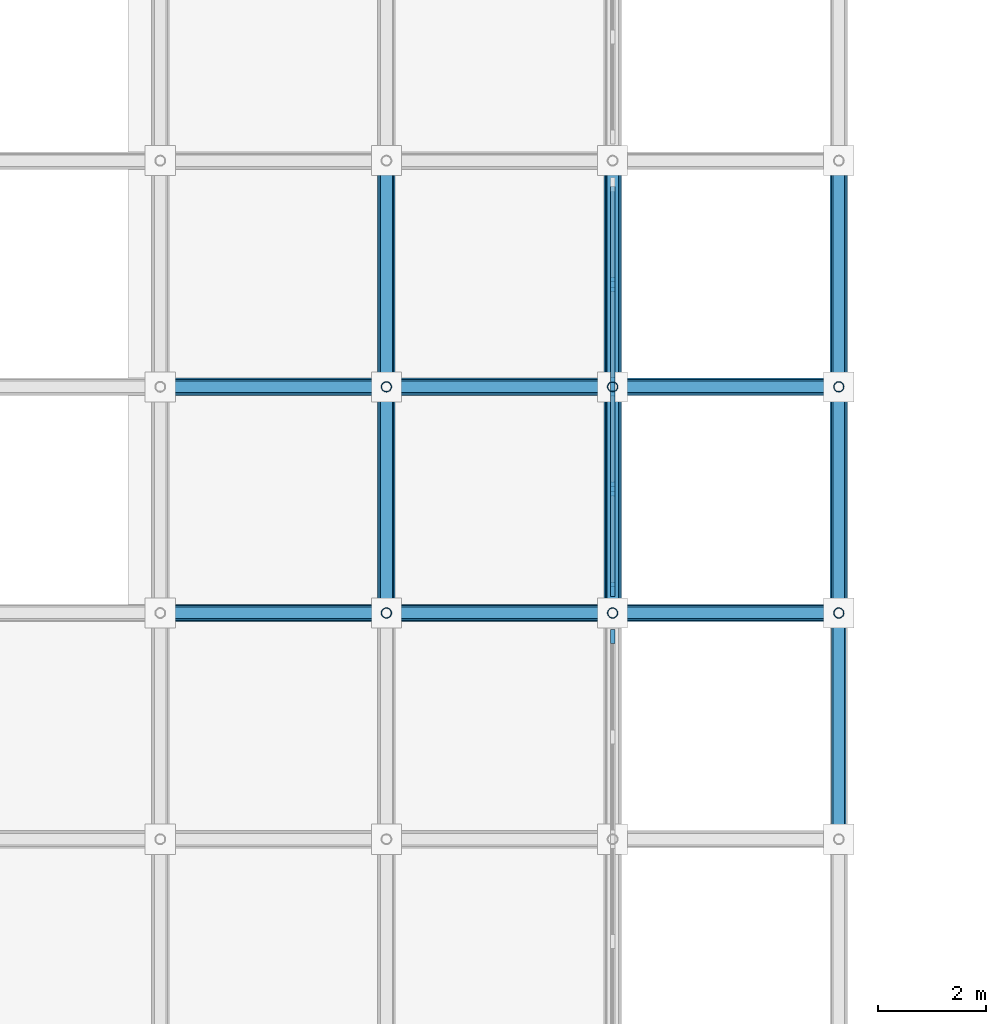
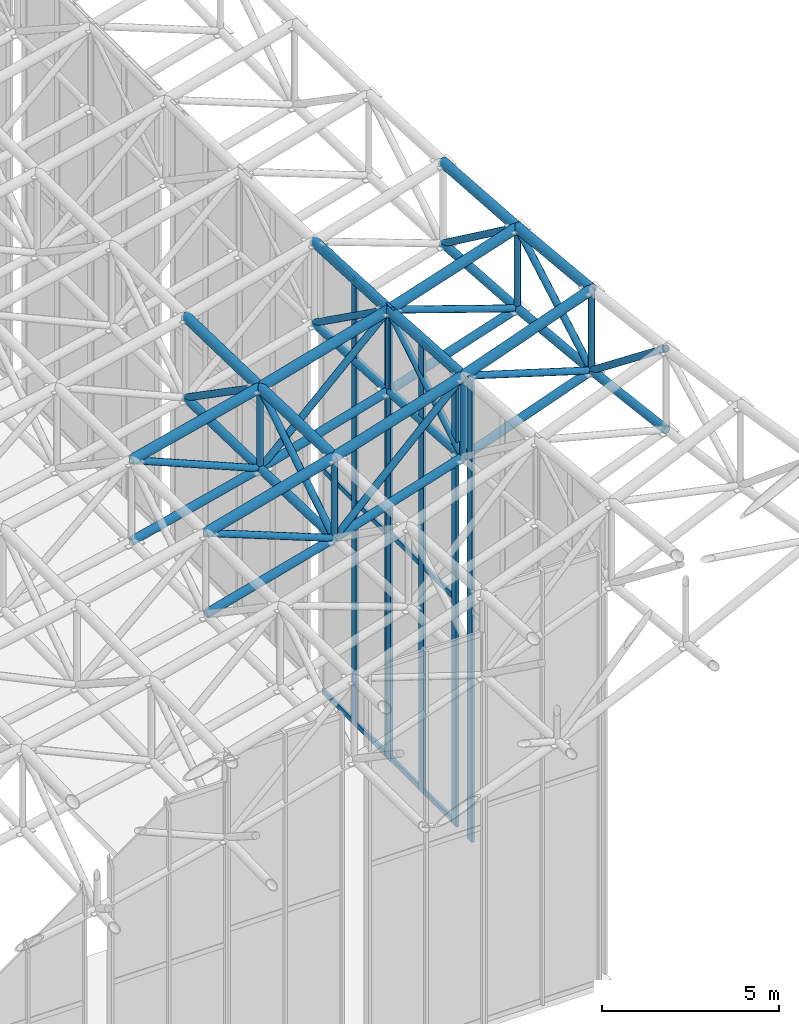
# One storey, part 40 of 93: 62 members, 3 elements without a shape of their own.
"""IFC4 building model written with IfcOpenShell, lengths in metres."""

from ifc_helpers import new_model, si_unit, direction, frame, origin, origin_2d, place, context, subcontext, project, spatial, rectangle, hollow_circle, extrude, material, material_profile, profile_set, type_object, element, aggregate, save


model = new_model("IFC4")

# Units and contexts
model_context = context("Model", 3, precision=1e-05, world=origin(), true_north=direction((0.0, 1.0)))
body_context = subcontext(model_context, "Body", "Model", "MODEL_VIEW")
ifc_project = project(units=[si_unit("LENGTHUNIT", "METRE"), si_unit("AREAUNIT", "SQUARE_METRE"), si_unit("VOLUMEUNIT", "CUBIC_METRE"), si_unit("PLANEANGLEUNIT", "RADIAN"), si_unit("MASSUNIT", "GRAM", prefix="KILO")], contexts=[model_context])

# Site, building, storey
site_placement = place(None, origin())
site = spatial("IfcSite", under=ifc_project, at=site_placement, CompositionType="ELEMENT")
building_placement = place(site_placement, origin())
building = spatial("IfcBuilding", under=site, at=building_placement, Name="Cumbredor Promenade Congress Hotel", CompositionType="ELEMENT")
storey_placement = place(building_placement, frame((0.0, 0.0, 21.840087890625)))
storey = spatial("IfcBuildingStorey", under=building, at=storey_placement, Name="L06", CompositionType="ELEMENT", Elevation=21.840087890625)

# Curtain wall, member
ifc_material_1 = material(Name="Thermally broken anodized aluminium and low-E glass", Category="aluminium")
curtain_wall_type = type_object("IfcCurtainWallType", Name="Stepped Pavilion Clerestory Curtain Wall CW-06", PredefinedType="NOTDEFINED", material=ifc_material_1)
curtain_wall_1_placement = place(storey_placement, origin())
curtain_wall_1 = element("IfcCurtainWall", 1, at=curtain_wall_1_placement, inside=storey, type_object=curtain_wall_type, Name="Plenary Congress Hall E Glazed Clerestory 2", PredefinedType="NOTDEFINED")
ifc_material_2 = material(Name="Thermally broken anodized aluminium", Category="aluminium")
ifc_material_profile_1 = material_profile(ifc_material_2, rectangle(XDim=0.0849609375, YDim=0.260009765625, at=origin_2d()), Name="ALU MULLION CLERESTORY 85x260")
ifc_profile_set_1 = profile_set([ifc_material_profile_1], Name="Thermally broken anodized aluminium")
member_type_1 = type_object("IfcMemberType", Name="Curtain Wall Mullion ML-04", PredefinedType="MULLION", material=ifc_profile_set_1)
member_1_placement = place(storey_placement, frame((67.199951171875, 16.360107421875, -0.01806640625), z_axis=(0.0, 0.0, 1.0), x_axis=(1.0, 0.0, 0.0)))
member_1 = element("IfcMember", 2, at=member_1_placement, type_object=member_type_1, Name="Plenary Congress Hall E Glazed Clerestory 2 Mullion 3", PredefinedType="MULLION", context=body_context, shape_type="SweptSolid", body=[
    extrude(rectangle(XDim=0.0849609375, YDim=0.260009765625, at=origin_2d()), origin(), (0.0, 0.0, 1.0), 15.94970703125),
])
aggregate(curtain_wall_1, [member_1])

# Curtain wall, members
curtain_wall_2_placement = place(storey_placement, origin())
curtain_wall_2 = element("IfcCurtainWall", 3, at=curtain_wall_2_placement, inside=storey, type_object=curtain_wall_type, Name="Plenary Congress Hall E Glazed Clerestory 3", PredefinedType="NOTDEFINED")
member_2_placement = place(storey_placement, frame((67.199951171875, 17.239990234375, -0.01806640625), z_axis=(0.0, 0.0, 1.0), x_axis=(1.0, 0.0, 0.0)))
member_2 = element("IfcMember", 4, at=member_2_placement, type_object=member_type_1, Name="Plenary Congress Hall E Glazed Clerestory 3 Mullion 1", PredefinedType="MULLION", context=body_context, shape_type="SweptSolid", body=[
    extrude(rectangle(XDim=0.0849609375, YDim=0.260009765625, at=origin_2d()), origin(), (0.0, 0.0, 1.0), 15.685791015625),
])
member_3_placement = place(storey_placement, frame((67.199951171875, 19.10009765625, -0.01806640625), z_axis=(0.0, 0.0, 1.0), x_axis=(1.0, 0.0, 0.0)))
member_3 = element("IfcMember", 5, at=member_3_placement, type_object=member_type_1, Name="Plenary Congress Hall E Glazed Clerestory 3 Mullion 2", PredefinedType="MULLION", context=body_context, shape_type="SweptSolid", body=[
    extrude(rectangle(XDim=0.0849609375, YDim=0.260009765625, at=origin_2d()), origin(), (0.0, 0.0, 1.0), 15.685791015625),
])
member_4_placement = place(storey_placement, frame((67.199951171875, 20.9599609375, -0.01806640625), z_axis=(0.0, 0.0, 1.0), x_axis=(1.0, 0.0, 0.0)))
member_4 = element("IfcMember", 6, at=member_4_placement, type_object=member_type_1, Name="Plenary Congress Hall E Glazed Clerestory 3 Mullion 3", PredefinedType="MULLION", context=body_context, shape_type="SweptSolid", body=[
    extrude(rectangle(XDim=0.0849609375, YDim=0.260009765625, at=origin_2d()), origin(), (0.0, 0.0, 1.0), 15.685791015625),
])

curtain_wall_3_placement = place(storey_placement, origin())
curtain_wall_3 = element("IfcCurtainWall", 7, at=curtain_wall_3_placement, inside=storey, type_object=curtain_wall_type, Name="Plenary Congress Hall E Glazed Clerestory 4", PredefinedType="NOTDEFINED")
member_5_placement = place(storey_placement, frame((67.199951171875, 21.0400390625, -0.01806640625), z_axis=(0.0, 0.0, 1.0), x_axis=(1.0, 0.0, 0.0)))
member_5 = element("IfcMember", 8, at=member_5_placement, type_object=member_type_1, Name="Plenary Congress Hall E Glazed Clerestory 4 Mullion 1", PredefinedType="MULLION", context=body_context, shape_type="SweptSolid", body=[
    extrude(rectangle(XDim=0.0849609375, YDim=0.260009765625, at=origin_2d()), origin(), (0.0, 0.0, 1.0), 15.48779296875),
])
member_6_placement = place(storey_placement, frame((67.199951171875, 22.89990234375, -0.01806640625), z_axis=(0.0, 0.0, 1.0), x_axis=(1.0, 0.0, 0.0)))
member_6 = element("IfcMember", 9, at=member_6_placement, type_object=member_type_1, Name="Plenary Congress Hall E Glazed Clerestory 4 Mullion 2", PredefinedType="MULLION", context=body_context, shape_type="SweptSolid", body=[
    extrude(rectangle(XDim=0.0849609375, YDim=0.260009765625, at=origin_2d()), origin(), (0.0, 0.0, 1.0), 15.48779296875),
])

# Member
ifc_material_profile_2 = material_profile(ifc_material_2, rectangle(XDim=0.080078125, YDim=0.179931640625, at=origin_2d()), Name="ALU TRANSOM 80x180")
ifc_profile_set_2 = profile_set([ifc_material_profile_2], Name="Thermally broken anodized aluminium")
member_type_2 = type_object("IfcMemberType", Name="Curtain Wall Transom TR-03", PredefinedType="USERDEFINED", material=ifc_profile_set_2)
member_7_placement = place(storey_placement, frame((67.199951171875, 17.282470703125, 0.079833984375), z_axis=(0.0, 1.0, 0.0), x_axis=(-1.0, 0.0, 0.0)))
member_7 = element("IfcMember", 10, at=member_7_placement, type_object=member_type_2, Name="Plenary Congress Hall E Glazed Clerestory 3 Transom 1.1", ObjectType="TRANSOM", PredefinedType="USERDEFINED", context=body_context, shape_type="SweptSolid", body=[
    extrude(rectangle(XDim=0.080078125, YDim=0.179931640625, at=origin_2d()), origin(), (0.0, 0.0, 1.0), 1.775146484375),
])

member_8_placement = place(storey_placement, frame((67.199951171875, 17.282470703125, 7.81982421875), z_axis=(0.0, 1.0, 0.0), x_axis=(-1.0, 0.0, 0.0)))
member_8 = element("IfcMember", 11, at=member_8_placement, type_object=member_type_2, Name="Plenary Congress Hall E Glazed Clerestory 3 Transom 1.2", ObjectType="TRANSOM", PredefinedType="USERDEFINED", context=body_context, shape_type="SweptSolid", body=[
    extrude(rectangle(XDim=0.080078125, YDim=0.179931640625, at=origin_2d()), origin(), (0.0, 0.0, 1.0), 1.775146484375),
])

member_9_placement = place(storey_placement, frame((67.199951171875, 17.282470703125, 15.56982421875), z_axis=(0.0, 1.0, 0.0), x_axis=(-1.0, 0.0, 0.0)))
member_9 = element("IfcMember", 12, at=member_9_placement, type_object=member_type_2, Name="Plenary Congress Hall E Glazed Clerestory 3 Transom 1.3", ObjectType="TRANSOM", PredefinedType="USERDEFINED", context=body_context, shape_type="SweptSolid", body=[
    extrude(rectangle(XDim=0.080078125, YDim=0.179931640625, at=origin_2d()), origin(), (0.0, 0.0, 1.0), 1.775146484375),
])

member_10_placement = place(storey_placement, frame((67.199951171875, 19.142578125, 0.079833984375), z_axis=(0.0, 1.0, 0.0), x_axis=(-1.0, 0.0, 0.0)))
member_10 = element("IfcMember", 13, at=member_10_placement, type_object=member_type_2, Name="Plenary Congress Hall E Glazed Clerestory 3 Transom 2.1", ObjectType="TRANSOM", PredefinedType="USERDEFINED", context=body_context, shape_type="SweptSolid", body=[
    extrude(rectangle(XDim=0.080078125, YDim=0.179931640625, at=origin_2d()), origin(), (0.0, 0.0, 1.0), 1.77490234375),
])

member_11_placement = place(storey_placement, frame((67.199951171875, 19.142578125, 7.81982421875), z_axis=(0.0, 1.0, 0.0), x_axis=(-1.0, 0.0, 0.0)))
member_11 = element("IfcMember", 14, at=member_11_placement, type_object=member_type_2, Name="Plenary Congress Hall E Glazed Clerestory 3 Transom 2.2", ObjectType="TRANSOM", PredefinedType="USERDEFINED", context=body_context, shape_type="SweptSolid", body=[
    extrude(rectangle(XDim=0.080078125, YDim=0.179931640625, at=origin_2d()), origin(), (0.0, 0.0, 1.0), 1.77490234375),
])

member_12_placement = place(storey_placement, frame((67.199951171875, 19.142578125, 15.56982421875), z_axis=(0.0, 1.0, 0.0), x_axis=(-1.0, 0.0, 0.0)))
member_12 = element("IfcMember", 15, at=member_12_placement, type_object=member_type_2, Name="Plenary Congress Hall E Glazed Clerestory 3 Transom 2.3", ObjectType="TRANSOM", PredefinedType="USERDEFINED", context=body_context, shape_type="SweptSolid", body=[
    extrude(rectangle(XDim=0.080078125, YDim=0.179931640625, at=origin_2d()), origin(), (0.0, 0.0, 1.0), 1.77490234375),
])

aggregate(curtain_wall_2, [member_2, member_3, member_4, member_7, member_8, member_9, member_10, member_11, member_12])

member_13_placement = place(storey_placement, frame((67.199951171875, 21.08251953125, 0.079833984375), z_axis=(0.0, 1.0, 0.0), x_axis=(-1.0, 0.0, 0.0)))
member_13 = element("IfcMember", 16, at=member_13_placement, type_object=member_type_2, Name="Plenary Congress Hall E Glazed Clerestory 4 Transom 1.1", ObjectType="TRANSOM", PredefinedType="USERDEFINED", context=body_context, shape_type="SweptSolid", body=[
    extrude(rectangle(XDim=0.080078125, YDim=0.179931640625, at=origin_2d()), origin(), (0.0, 0.0, 1.0), 1.77490234375),
])

member_14_placement = place(storey_placement, frame((67.199951171875, 21.08251953125, 7.72998046875), z_axis=(0.0, 1.0, 0.0), x_axis=(-1.0, 0.0, 0.0)))
member_14 = element("IfcMember", 17, at=member_14_placement, type_object=member_type_2, Name="Plenary Congress Hall E Glazed Clerestory 4 Transom 1.2", ObjectType="TRANSOM", PredefinedType="USERDEFINED", context=body_context, shape_type="SweptSolid", body=[
    extrude(rectangle(XDim=0.080078125, YDim=0.179931640625, at=origin_2d()), origin(), (0.0, 0.0, 1.0), 1.77490234375),
])

member_15_placement = place(storey_placement, frame((67.199951171875, 21.08251953125, 15.369873046875), z_axis=(0.0, 1.0, 0.0), x_axis=(-1.0, 0.0, 0.0)))
member_15 = element("IfcMember", 18, at=member_15_placement, type_object=member_type_2, Name="Plenary Congress Hall E Glazed Clerestory 4 Transom 1.3", ObjectType="TRANSOM", PredefinedType="USERDEFINED", context=body_context, shape_type="SweptSolid", body=[
    extrude(rectangle(XDim=0.080078125, YDim=0.179931640625, at=origin_2d()), origin(), (0.0, 0.0, 1.0), 1.77490234375),
])

member_16_placement = place(storey_placement, frame((67.199951171875, 22.9423828125, 0.079833984375), z_axis=(0.0, 1.0, 0.0), x_axis=(-1.0, 0.0, 0.0)))
member_16 = element("IfcMember", 19, at=member_16_placement, type_object=member_type_2, Name="Plenary Congress Hall E Glazed Clerestory 4 Transom 2.1", ObjectType="TRANSOM", PredefinedType="USERDEFINED", context=body_context, shape_type="SweptSolid", body=[
    extrude(rectangle(XDim=0.080078125, YDim=0.179931640625, at=origin_2d()), origin(), (0.0, 0.0, 1.0), 1.775146484375),
])

member_17_placement = place(storey_placement, frame((67.199951171875, 22.9423828125, 7.72998046875), z_axis=(0.0, 1.0, 0.0), x_axis=(-1.0, 0.0, 0.0)))
member_17 = element("IfcMember", 20, at=member_17_placement, type_object=member_type_2, Name="Plenary Congress Hall E Glazed Clerestory 4 Transom 2.2", ObjectType="TRANSOM", PredefinedType="USERDEFINED", context=body_context, shape_type="SweptSolid", body=[
    extrude(rectangle(XDim=0.080078125, YDim=0.179931640625, at=origin_2d()), origin(), (0.0, 0.0, 1.0), 1.775146484375),
])

member_18_placement = place(storey_placement, frame((67.199951171875, 22.9423828125, 15.369873046875), z_axis=(0.0, 1.0, 0.0), x_axis=(-1.0, 0.0, 0.0)))
member_18 = element("IfcMember", 21, at=member_18_placement, type_object=member_type_2, Name="Plenary Congress Hall E Glazed Clerestory 4 Transom 2.3", ObjectType="TRANSOM", PredefinedType="USERDEFINED", context=body_context, shape_type="SweptSolid", body=[
    extrude(rectangle(XDim=0.080078125, YDim=0.179931640625, at=origin_2d()), origin(), (0.0, 0.0, 1.0), 1.775146484375),
])

aggregate(curtain_wall_3, [member_5, member_6, member_13, member_14, member_15, member_16, member_17, member_18])

# Members
ifc_material_3 = material(Name="Steel ASTM A500 Grade C", Category="steel")
ifc_material_profile_3 = material_profile(ifc_material_3, hollow_circle(Radius=0.136474609375, WallThickness=0.01611328125, at=origin_2d()), Name="CHS 273.0x16")
ifc_profile_set_3 = profile_set([ifc_material_profile_3], Name="Steel ASTM A500 Grade C")
member_type_3 = type_object("IfcMemberType", Name="Plenary Roof Space Frame Bottom Chord", PredefinedType="CHORD", material=ifc_profile_set_3)
member_19_placement = place(storey_placement, frame((58.800048828125, 16.800048828125, 10.4599609375), z_axis=(0.964303137338, 0.0, 0.264800791768), x_axis=(0.0, 1.0, 0.0)))
element("IfcMember", 22, at=member_19_placement, inside=storey, type_object=member_type_3, Name="Plenary Congress Hall X Bottom Chord 16.5", PredefinedType="CHORD", context=body_context, shape_type="SweptSolid", body=[
    extrude(hollow_circle(Radius=0.136474609375, WallThickness=0.01611328125, at=origin_2d()), origin(), (0.0, 0.0, 1.0), 4.35546875),
])
member_20_placement = place(storey_placement, frame((63.0, 16.800048828125, 11.61328125), z_axis=(0.953320159964, 0.0, 0.301961376018), x_axis=(0.0, 1.0, 0.0)))
element("IfcMember", 23, at=member_20_placement, inside=storey, type_object=member_type_3, Name="Plenary Congress Hall X Bottom Chord 17.5", PredefinedType="CHORD", context=body_context, shape_type="SweptSolid", body=[
    extrude(hollow_circle(Radius=0.136474609375, WallThickness=0.01611328125, at=origin_2d()), origin(), (0.0, 0.0, 1.0), 4.405517578125),
])
member_21_placement = place(storey_placement, frame((67.199951171875, 16.800048828125, 12.943603515625), z_axis=(0.94060968374, 0.0, 0.339489945146), x_axis=(0.0, 1.0, 0.0)))
element("IfcMember", 24, at=member_21_placement, inside=storey, type_object=member_type_3, Name="Plenary Congress Hall X Bottom Chord 18.5", PredefinedType="CHORD", context=body_context, shape_type="SweptSolid", body=[
    extrude(hollow_circle(Radius=0.136474609375, WallThickness=0.01611328125, at=origin_2d()), origin(), (0.0, 0.0, 1.0), 4.465087890625),
])
member_22_placement = place(storey_placement, frame((58.800048828125, 21.0, 10.427978515625), z_axis=(0.970390849303, 0.0, 0.241540057938), x_axis=(0.0, 1.0, 0.0)))
element("IfcMember", 25, at=member_22_placement, inside=storey, type_object=member_type_3, Name="Plenary Congress Hall X Bottom Chord 16.6", PredefinedType="CHORD", context=body_context, shape_type="SweptSolid", body=[
    extrude(hollow_circle(Radius=0.136474609375, WallThickness=0.01611328125, at=origin_2d()), origin(), (0.0, 0.0, 1.0), 4.328125),
])
member_23_placement = place(storey_placement, frame((63.0, 21.0, 11.473388671875), z_axis=(0.961141413471, 0.0, 0.276056485727), x_axis=(0.0, 1.0, 0.0)))
element("IfcMember", 26, at=member_23_placement, inside=storey, type_object=member_type_3, Name="Plenary Congress Hall X Bottom Chord 17.6", PredefinedType="CHORD", context=body_context, shape_type="SweptSolid", body=[
    extrude(hollow_circle(Radius=0.136474609375, WallThickness=0.01611328125, at=origin_2d()), origin(), (0.0, 0.0, 1.0), 4.369873046875),
])
member_24_placement = place(storey_placement, frame((67.199951171875, 21.0, 12.6796875), z_axis=(0.95046362493, 0.0, 0.310835805025), x_axis=(0.0, 1.0, 0.0)))
element("IfcMember", 27, at=member_24_placement, inside=storey, type_object=member_type_3, Name="Plenary Congress Hall X Bottom Chord 18.6", PredefinedType="CHORD", context=body_context, shape_type="SweptSolid", body=[
    extrude(hollow_circle(Radius=0.136474609375, WallThickness=0.01611328125, at=origin_2d()), origin(), (0.0, 0.0, 1.0), 4.4189453125),
])
member_25_placement = place(storey_placement, frame((63.0, 16.800048828125, 11.61328125), z_axis=(0.0, 0.999445744913, -0.03328968272), x_axis=(-1.0, 0.0, 0.0)))
element("IfcMember", 28, at=member_25_placement, inside=storey, type_object=member_type_3, Name="Plenary Congress Hall Y Bottom Chord 17.5", PredefinedType="CHORD", context=body_context, shape_type="SweptSolid", body=[
    extrude(hollow_circle(Radius=0.136474609375, WallThickness=0.01611328125, at=origin_2d()), origin(), (0.0, 0.0, 1.0), 4.202392578125),
])
member_26_placement = place(storey_placement, frame((63.0, 21.0, 11.473388671875), z_axis=(0.0, 0.999689205225, -0.024929760451), x_axis=(-1.0, 0.0, 0.0)))
element("IfcMember", 29, at=member_26_placement, inside=storey, type_object=member_type_3, Name="Plenary Congress Hall Y Bottom Chord 17.6", PredefinedType="CHORD", context=body_context, shape_type="SweptSolid", body=[
    extrude(hollow_circle(Radius=0.136474609375, WallThickness=0.01611328125, at=origin_2d()), origin(), (0.0, 0.0, 1.0), 4.201171875),
])
member_27_placement = place(storey_placement, frame((67.199951171875, 16.800048828125, 12.943603515625), z_axis=(0.0, 0.998031528214, -0.062714182526), x_axis=(-1.0, 0.0, 0.0)))
element("IfcMember", 30, at=member_27_placement, inside=storey, type_object=member_type_3, Name="Plenary Congress Hall Y Bottom Chord 18.5", PredefinedType="CHORD", context=body_context, shape_type="SweptSolid", body=[
    extrude(hollow_circle(Radius=0.136474609375, WallThickness=0.01611328125, at=origin_2d()), origin(), (0.0, 0.0, 1.0), 4.208251953125),
])
member_28_placement = place(storey_placement, frame((67.199951171875, 21.0, 12.6796875), z_axis=(0.0, 0.998890620414, -0.047090640769), x_axis=(-1.0, 0.0, 0.0)))
element("IfcMember", 31, at=member_28_placement, inside=storey, type_object=member_type_3, Name="Plenary Congress Hall Y Bottom Chord 18.6", PredefinedType="CHORD", context=body_context, shape_type="SweptSolid", body=[
    extrude(hollow_circle(Radius=0.136474609375, WallThickness=0.01611328125, at=origin_2d()), origin(), (0.0, 0.0, 1.0), 4.20458984375),
])
member_29_placement = place(storey_placement, frame((71.39990234375, 12.60009765625, 14.967041015625), z_axis=(0.0, 0.992776544314, -0.119978052411), x_axis=(-1.0, 0.0, 0.0)))
element("IfcMember", 32, at=member_29_placement, inside=storey, type_object=member_type_3, Name="Plenary Congress Hall Y Bottom Chord 19.4", PredefinedType="CHORD", context=body_context, shape_type="SweptSolid", body=[
    extrude(hollow_circle(Radius=0.136474609375, WallThickness=0.01611328125, at=origin_2d()), origin(), (0.0, 0.0, 1.0), 4.23046875),
])
member_30_placement = place(storey_placement, frame((71.39990234375, 16.800048828125, 14.45947265625), z_axis=(0.0, 0.995354486143, -0.096277966921), x_axis=(-1.0, 0.0, 0.0)))
element("IfcMember", 33, at=member_30_placement, inside=storey, type_object=member_type_3, Name="Plenary Congress Hall Y Bottom Chord 19.5", PredefinedType="CHORD", context=body_context, shape_type="SweptSolid", body=[
    extrude(hollow_circle(Radius=0.136474609375, WallThickness=0.01611328125, at=origin_2d()), origin(), (0.0, 0.0, 1.0), 4.219482421875),
])
member_31_placement = place(storey_placement, frame((71.39990234375, 21.0, 14.05322265625), z_axis=(0.0, 0.997374731853, -0.072413011689), x_axis=(-1.0, 0.0, 0.0)))
element("IfcMember", 34, at=member_31_placement, inside=storey, type_object=member_type_3, Name="Plenary Congress Hall Y Bottom Chord 19.6", PredefinedType="CHORD", context=body_context, shape_type="SweptSolid", body=[
    extrude(hollow_circle(Radius=0.136474609375, WallThickness=0.01611328125, at=origin_2d()), origin(), (0.0, 0.0, 1.0), 4.2109375),
])
ifc_material_profile_4 = material_profile(ifc_material_3, hollow_circle(Radius=0.161865234375, WallThickness=0.01611328125, at=origin_2d()), Name="CHS 323.9x16")
ifc_profile_set_4 = profile_set([ifc_material_profile_4], Name="Steel ASTM A500 Grade C")
member_type_4 = type_object("IfcMemberType", Name="Plenary Roof Space Frame Top Chord", PredefinedType="CHORD", material=ifc_profile_set_4)
member_32_placement = place(storey_placement, frame((58.800048828125, 16.800048828125, 13.260009765625), z_axis=(0.964303137338, 0.0, 0.264800791768), x_axis=(0.0, 1.0, 0.0)))
element("IfcMember", 35, at=member_32_placement, inside=storey, type_object=member_type_4, Name="Plenary Congress Hall X Top Chord 16.5", PredefinedType="CHORD", context=body_context, shape_type="SweptSolid", body=[
    extrude(hollow_circle(Radius=0.161865234375, WallThickness=0.01611328125, at=origin_2d()), origin(), (0.0, 0.0, 1.0), 4.35546875),
])
member_33_placement = place(storey_placement, frame((63.0, 16.800048828125, 14.413330078125), z_axis=(0.953320159964, 0.0, 0.301961376018), x_axis=(0.0, 1.0, 0.0)))
element("IfcMember", 36, at=member_33_placement, inside=storey, type_object=member_type_4, Name="Plenary Congress Hall X Top Chord 17.5", PredefinedType="CHORD", context=body_context, shape_type="SweptSolid", body=[
    extrude(hollow_circle(Radius=0.161865234375, WallThickness=0.01611328125, at=origin_2d()), origin(), (0.0, 0.0, 1.0), 4.405517578125),
])
member_34_placement = place(storey_placement, frame((67.199951171875, 16.800048828125, 15.74365234375), z_axis=(0.94060968374, 0.0, 0.339489945146), x_axis=(0.0, 1.0, 0.0)))
element("IfcMember", 37, at=member_34_placement, inside=storey, type_object=member_type_4, Name="Plenary Congress Hall X Top Chord 18.5", PredefinedType="CHORD", context=body_context, shape_type="SweptSolid", body=[
    extrude(hollow_circle(Radius=0.161865234375, WallThickness=0.01611328125, at=origin_2d()), origin(), (0.0, 0.0, 1.0), 4.465087890625),
])
member_35_placement = place(storey_placement, frame((58.800048828125, 21.0, 13.22802734375), z_axis=(0.970390849303, 0.0, 0.241540057938), x_axis=(0.0, 1.0, 0.0)))
element("IfcMember", 38, at=member_35_placement, inside=storey, type_object=member_type_4, Name="Plenary Congress Hall X Top Chord 16.6", PredefinedType="CHORD", context=body_context, shape_type="SweptSolid", body=[
    extrude(hollow_circle(Radius=0.161865234375, WallThickness=0.01611328125, at=origin_2d()), origin(), (0.0, 0.0, 1.0), 4.328125),
])
member_36_placement = place(storey_placement, frame((63.0, 21.0, 14.2734375), z_axis=(0.961156236414, 0.0, 0.276004871702), x_axis=(0.0, 1.0, 0.0)))
element("IfcMember", 39, at=member_36_placement, inside=storey, type_object=member_type_4, Name="Plenary Congress Hall X Top Chord 17.6", PredefinedType="CHORD", context=body_context, shape_type="SweptSolid", body=[
    extrude(hollow_circle(Radius=0.161865234375, WallThickness=0.01611328125, at=origin_2d()), origin(), (0.0, 0.0, 1.0), 4.36962890625),
])
member_37_placement = place(storey_placement, frame((67.199951171875, 21.0, 15.4794921875), z_axis=(0.95046362493, 0.0, 0.310835805025), x_axis=(0.0, 1.0, 0.0)))
element("IfcMember", 40, at=member_37_placement, inside=storey, type_object=member_type_4, Name="Plenary Congress Hall X Top Chord 18.6", PredefinedType="CHORD", context=body_context, shape_type="SweptSolid", body=[
    extrude(hollow_circle(Radius=0.161865234375, WallThickness=0.01611328125, at=origin_2d()), origin(), (0.0, 0.0, 1.0), 4.4189453125),
])
member_38_placement = place(storey_placement, frame((63.0, 16.800048828125, 14.413330078125), z_axis=(0.0, 0.999445744913, -0.03328968272), x_axis=(-1.0, 0.0, 0.0)))
element("IfcMember", 41, at=member_38_placement, inside=storey, type_object=member_type_4, Name="Plenary Congress Hall Y Top Chord 17.5", PredefinedType="CHORD", context=body_context, shape_type="SweptSolid", body=[
    extrude(hollow_circle(Radius=0.161865234375, WallThickness=0.01611328125, at=origin_2d()), origin(), (0.0, 0.0, 1.0), 4.202392578125),
])
member_39_placement = place(storey_placement, frame((63.0, 21.0, 14.2734375), z_axis=(0.0, 0.999689205225, -0.024929760451), x_axis=(-1.0, 0.0, 0.0)))
element("IfcMember", 42, at=member_39_placement, inside=storey, type_object=member_type_4, Name="Plenary Congress Hall Y Top Chord 17.6", PredefinedType="CHORD", context=body_context, shape_type="SweptSolid", body=[
    extrude(hollow_circle(Radius=0.161865234375, WallThickness=0.01611328125, at=origin_2d()), origin(), (0.0, 0.0, 1.0), 4.201171875),
])
member_40_placement = place(storey_placement, frame((67.199951171875, 16.800048828125, 15.74365234375), z_axis=(0.0, 0.998027895355, -0.062771969004), x_axis=(-1.0, 0.0, 0.0)))
element("IfcMember", 43, at=member_40_placement, inside=storey, type_object=member_type_4, Name="Plenary Congress Hall Y Top Chord 18.5", PredefinedType="CHORD", context=body_context, shape_type="SweptSolid", body=[
    extrude(hollow_circle(Radius=0.161865234375, WallThickness=0.01611328125, at=origin_2d()), origin(), (0.0, 0.0, 1.0), 4.208251953125),
])
member_41_placement = place(storey_placement, frame((67.199951171875, 21.0, 15.4794921875), z_axis=(0.0, 0.998890620414, -0.047090640769), x_axis=(-1.0, 0.0, 0.0)))
element("IfcMember", 44, at=member_41_placement, inside=storey, type_object=member_type_4, Name="Plenary Congress Hall Y Top Chord 18.6", PredefinedType="CHORD", context=body_context, shape_type="SweptSolid", body=[
    extrude(hollow_circle(Radius=0.161865234375, WallThickness=0.01611328125, at=origin_2d()), origin(), (0.0, 0.0, 1.0), 4.20458984375),
])
member_42_placement = place(storey_placement, frame((71.39990234375, 16.800048828125, 17.259521484375), z_axis=(0.0, 0.995348939821, -0.096335289473), x_axis=(-1.0, 0.0, 0.0)))
element("IfcMember", 45, at=member_42_placement, inside=storey, type_object=member_type_4, Name="Plenary Congress Hall Y Top Chord 19.5", PredefinedType="CHORD", context=body_context, shape_type="SweptSolid", body=[
    extrude(hollow_circle(Radius=0.161865234375, WallThickness=0.01611328125, at=origin_2d()), origin(), (0.0, 0.0, 1.0), 4.219482421875),
])
member_43_placement = place(storey_placement, frame((71.39990234375, 21.0, 16.85302734375), z_axis=(0.0, 0.997378917455, -0.072355338545), x_axis=(-1.0, 0.0, 0.0)))
element("IfcMember", 46, at=member_43_placement, inside=storey, type_object=member_type_4, Name="Plenary Congress Hall Y Top Chord 19.6", PredefinedType="CHORD", context=body_context, shape_type="SweptSolid", body=[
    extrude(hollow_circle(Radius=0.161865234375, WallThickness=0.01611328125, at=origin_2d()), origin(), (0.0, 0.0, 1.0), 4.2109375),
])
ifc_material_profile_5 = material_profile(ifc_material_3, hollow_circle(Radius=0.109619140625, WallThickness=0.012451171875, at=origin_2d()), Name="CHS 219.1x12.5")
ifc_profile_set_5 = profile_set([ifc_material_profile_5], Name="Steel ASTM A500 Grade C")
member_type_5 = type_object("IfcMemberType", Name="Space Frame Web Diagonal D1", PredefinedType="BRACE", material=ifc_profile_set_5)
member_44_placement = place(storey_placement, frame((58.800048828125, 16.800048828125, 13.260009765625), z_axis=(0.930996640005, 0.0, -0.365027747302), x_axis=(0.0, 1.0, 0.0)))
element("IfcMember", 47, at=member_44_placement, inside=storey, type_object=member_type_5, Name="Plenary Congress Hall X Web Diagonal 16.5", PredefinedType="BRACE", context=body_context, shape_type="SweptSolid", body=[
    extrude(hollow_circle(Radius=0.109619140625, WallThickness=0.012451171875, at=origin_2d()), origin(), (0.0, 0.0, 1.0), 4.51123046875),
])
member_45_placement = place(storey_placement, frame((63.0, 16.800048828125, 11.61328125), z_axis=(0.712988109804, 0.0, 0.701176122866), x_axis=(0.0, 1.0, 0.0)))
element("IfcMember", 48, at=member_45_placement, inside=storey, type_object=member_type_5, Name="Plenary Congress Hall X Web Diagonal 17.5", PredefinedType="BRACE", context=body_context, shape_type="SweptSolid", body=[
    extrude(hollow_circle(Radius=0.109619140625, WallThickness=0.012451171875, at=origin_2d()), origin(), (0.0, 0.0, 1.0), 5.890625),
])
member_46_placement = place(storey_placement, frame((67.199951171875, 16.800048828125, 15.74365234375), z_axis=(0.95629674988, 0.0, -0.292397890157), x_axis=(0.0, 1.0, 0.0)))
element("IfcMember", 49, at=member_46_placement, inside=storey, type_object=member_type_5, Name="Plenary Congress Hall X Web Diagonal 18.5", PredefinedType="BRACE", context=body_context, shape_type="SweptSolid", body=[
    extrude(hollow_circle(Radius=0.109619140625, WallThickness=0.012451171875, at=origin_2d()), origin(), (0.0, 0.0, 1.0), 4.391845703125),
])
member_47_placement = place(storey_placement, frame((58.800048828125, 21.0, 13.22802734375), z_axis=(0.922713114101, 0.0, -0.385487365637), x_axis=(0.0, 1.0, 0.0)))
element("IfcMember", 50, at=member_47_placement, inside=storey, type_object=member_type_5, Name="Plenary Congress Hall X Web Diagonal 16.6", PredefinedType="BRACE", context=body_context, shape_type="SweptSolid", body=[
    extrude(hollow_circle(Radius=0.109619140625, WallThickness=0.012451171875, at=origin_2d()), origin(), (0.0, 0.0, 1.0), 4.5517578125),
])
member_48_placement = place(storey_placement, frame((63.0, 21.0, 11.473388671875), z_axis=(0.723608555233, 0.0, 0.690210590177), x_axis=(0.0, 1.0, 0.0)))
element("IfcMember", 51, at=member_48_placement, inside=storey, type_object=member_type_5, Name="Plenary Congress Hall X Web Diagonal 17.6", PredefinedType="BRACE", context=body_context, shape_type="SweptSolid", body=[
    extrude(hollow_circle(Radius=0.109619140625, WallThickness=0.012451171875, at=origin_2d()), origin(), (0.0, 0.0, 1.0), 5.80419921875),
])
member_49_placement = place(storey_placement, frame((67.199951171875, 21.0, 15.4794921875), z_axis=(0.946890442895, 0.0, -0.321556354554), x_axis=(0.0, 1.0, 0.0)))
element("IfcMember", 52, at=member_49_placement, inside=storey, type_object=member_type_5, Name="Plenary Congress Hall X Web Diagonal 18.6", PredefinedType="BRACE", context=body_context, shape_type="SweptSolid", body=[
    extrude(hollow_circle(Radius=0.109619140625, WallThickness=0.012451171875, at=origin_2d()), origin(), (0.0, 0.0, 1.0), 4.435546875),
])
member_50_placement = place(storey_placement, frame((63.0, 16.800048828125, 11.61328125), z_axis=(0.0, 0.84480205679, 0.535078951972), x_axis=(-1.0, 0.0, 0.0)))
element("IfcMember", 53, at=member_50_placement, inside=storey, type_object=member_type_5, Name="Plenary Congress Hall Y Web Diagonal 17.5", PredefinedType="BRACE", context=body_context, shape_type="SweptSolid", body=[
    extrude(hollow_circle(Radius=0.109619140625, WallThickness=0.012451171875, at=origin_2d()), origin(), (0.0, 0.0, 1.0), 4.971435546875),
])
member_51_placement = place(storey_placement, frame((63.0, 21.0, 14.2734375), z_axis=(0.0, 0.822455434738, -0.568829550806), x_axis=(-1.0, 0.0, 0.0)))
element("IfcMember", 54, at=member_51_placement, inside=storey, type_object=member_type_5, Name="Plenary Congress Hall Y Web Diagonal 17.6", PredefinedType="BRACE", context=body_context, shape_type="SweptSolid", body=[
    extrude(hollow_circle(Radius=0.109619140625, WallThickness=0.012451171875, at=origin_2d()), origin(), (0.0, 0.0, 1.0), 5.106689453125),
])
member_52_placement = place(storey_placement, frame((67.199951171875, 16.800048828125, 12.943603515625), z_axis=(0.0, 0.856058213585, 0.51687942013), x_axis=(-1.0, 0.0, 0.0)))
element("IfcMember", 55, at=member_52_placement, inside=storey, type_object=member_type_5, Name="Plenary Congress Hall Y Web Diagonal 18.5", PredefinedType="BRACE", context=body_context, shape_type="SweptSolid", body=[
    extrude(hollow_circle(Radius=0.109619140625, WallThickness=0.012451171875, at=origin_2d()), origin(), (0.0, 0.0, 1.0), 4.90625),
])
member_53_placement = place(storey_placement, frame((67.199951171875, 21.0, 15.4794921875), z_axis=(0.0, 0.813931628486, -0.580960673497), x_axis=(-1.0, 0.0, 0.0)))
element("IfcMember", 56, at=member_53_placement, inside=storey, type_object=member_type_5, Name="Plenary Congress Hall Y Web Diagonal 18.6", PredefinedType="BRACE", context=body_context, shape_type="SweptSolid", body=[
    extrude(hollow_circle(Radius=0.109619140625, WallThickness=0.012451171875, at=origin_2d()), origin(), (0.0, 0.0, 1.0), 5.16015625),
])
member_54_placement = place(storey_placement, frame((71.39990234375, 12.60009765625, 17.76708984375), z_axis=(0.0, 0.785622163595, -0.618706567016), x_axis=(-1.0, 0.0, 0.0)))
element("IfcMember", 57, at=member_54_placement, inside=storey, type_object=member_type_5, Name="Plenary Congress Hall Y Web Diagonal 19.4", PredefinedType="BRACE", context=body_context, shape_type="SweptSolid", body=[
    extrude(hollow_circle(Radius=0.109619140625, WallThickness=0.012451171875, at=origin_2d()), origin(), (0.0, 0.0, 1.0), 5.345947265625),
])
member_55_placement = place(storey_placement, frame((71.39990234375, 16.800048828125, 14.45947265625), z_axis=(0.0, 0.868814422185, 0.495137859391), x_axis=(-1.0, 0.0, 0.0)))
element("IfcMember", 58, at=member_55_placement, inside=storey, type_object=member_type_5, Name="Plenary Congress Hall Y Web Diagonal 19.5", PredefinedType="BRACE", context=body_context, shape_type="SweptSolid", body=[
    extrude(hollow_circle(Radius=0.109619140625, WallThickness=0.012451171875, at=origin_2d()), origin(), (0.0, 0.0, 1.0), 4.834228515625),
])
member_56_placement = place(storey_placement, frame((71.39990234375, 21.0, 16.85302734375), z_axis=(0.0, 0.804137281643, -0.594443632544), x_axis=(-1.0, 0.0, 0.0)))
element("IfcMember", 59, at=member_56_placement, inside=storey, type_object=member_type_5, Name="Plenary Congress Hall Y Web Diagonal 19.6", PredefinedType="BRACE", context=body_context, shape_type="SweptSolid", body=[
    extrude(hollow_circle(Radius=0.109619140625, WallThickness=0.012451171875, at=origin_2d()), origin(), (0.0, 0.0, 1.0), 5.222900390625),
])
ifc_material_profile_6 = material_profile(ifc_material_3, hollow_circle(Radius=0.096923828125, WallThickness=0.010009765625, at=origin_2d()), Name="CHS 193.7x10")
ifc_profile_set_6 = profile_set([ifc_material_profile_6], Name="Steel ASTM A500 Grade C")
member_type_6 = type_object("IfcMemberType", Name="Space Frame Web Post P1", PredefinedType="BRACE", material=ifc_profile_set_6)
for number, where, z_axis, x_axis, name in (
    (60, (63.0, 16.800048828125, 11.61328125), (0.0, 0.0, 1.0), (1.0, 0.0, 0.0), "Plenary Congress Hall Space Frame Web Post 17.5"),
    (61, (63.0, 21.0, 11.473388671875), (0.0, 0.0, 1.0), (1.0, 0.0, 0.0), "Plenary Congress Hall Space Frame Web Post 17.6"),
    (62, (67.199951171875, 16.800048828125, 12.943603515625), (0.0, 0.0, 1.0), (1.0, 0.0, 0.0), "Plenary Congress Hall Space Frame Web Post 18.5"),
):
    element("IfcMember", number, at=place(storey_placement, frame(where, z_axis=z_axis, x_axis=x_axis)), inside=storey, type_object=member_type_6, Name=name, PredefinedType="BRACE", context=body_context, shape_type="SweptSolid", body=[
        extrude(hollow_circle(Radius=0.096923828125, WallThickness=0.010009765625, at=origin_2d()), origin(), (0.0, 0.0, 1.0), 2.800048828125),
    ])
member_57_placement = place(storey_placement, frame((67.199951171875, 21.0, 12.6796875), z_axis=(0.0, 0.0, 1.0), x_axis=(1.0, 0.0, 0.0)))
element("IfcMember", 63, at=member_57_placement, inside=storey, type_object=member_type_6, Name="Plenary Congress Hall Space Frame Web Post 18.6", PredefinedType="BRACE", context=body_context, shape_type="SweptSolid", body=[
    extrude(hollow_circle(Radius=0.096923828125, WallThickness=0.010009765625, at=origin_2d()), origin(), (0.0, 0.0, 1.0), 2.7998046875),
])
member_58_placement = place(storey_placement, frame((71.39990234375, 16.800048828125, 14.45947265625), z_axis=(0.0, 0.0, 1.0), x_axis=(1.0, 0.0, 0.0)))
element("IfcMember", 64, at=member_58_placement, inside=storey, type_object=member_type_6, Name="Plenary Congress Hall Space Frame Web Post 19.5", PredefinedType="BRACE", context=body_context, shape_type="SweptSolid", body=[
    extrude(hollow_circle(Radius=0.096923828125, WallThickness=0.010009765625, at=origin_2d()), origin(), (0.0, 0.0, 1.0), 2.800048828125),
])
member_59_placement = place(storey_placement, frame((71.39990234375, 21.0, 14.05322265625), z_axis=(0.0, 0.0, 1.0), x_axis=(1.0, 0.0, 0.0)))
element("IfcMember", 65, at=member_59_placement, inside=storey, type_object=member_type_6, Name="Plenary Congress Hall Space Frame Web Post 19.6", PredefinedType="BRACE", context=body_context, shape_type="SweptSolid", body=[
    extrude(hollow_circle(Radius=0.096923828125, WallThickness=0.010009765625, at=origin_2d()), origin(), (0.0, 0.0, 1.0), 2.7998046875),
])

save(model, "model.ifc")
